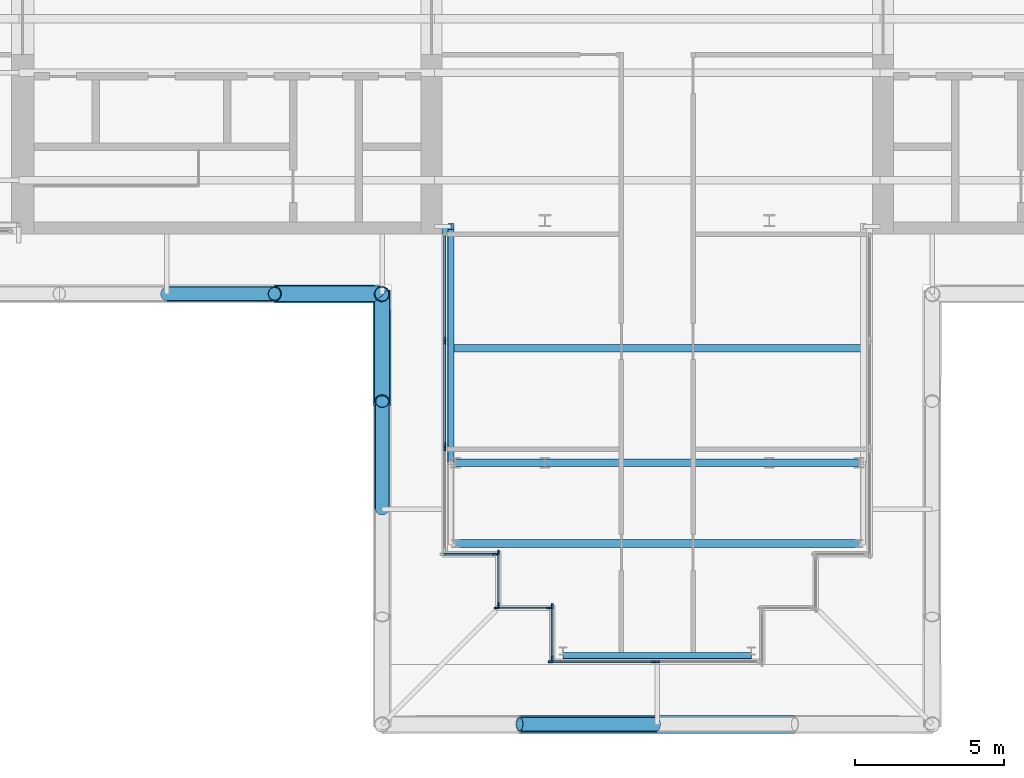
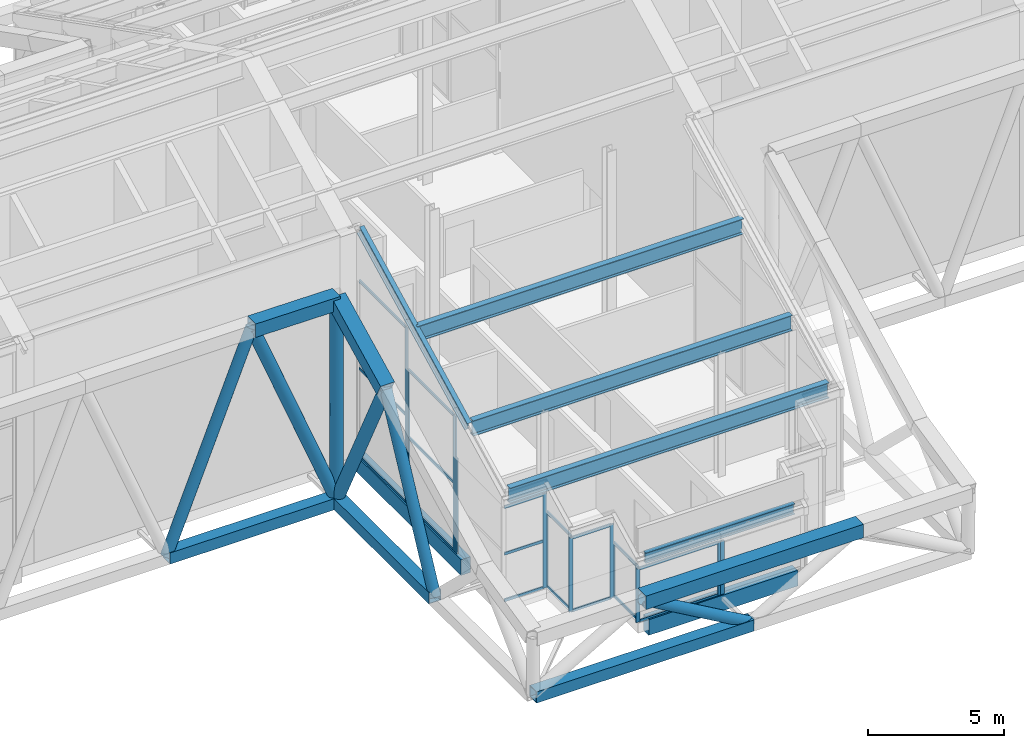
# One storey, part 5 of 25: 43 members, 7 beams, 9 elements without a shape of their own.
"""IFC4 building model written with IfcOpenShell, lengths in metres."""

from ifc_helpers import new_model, si_unit, direction, frame, origin, origin_2d, place, context, subcontext, project, spatial, rectangle, hollow_rectangle, hollow_circle, i_section, extrude, material, material_profile, profile_set, type_object, element, aggregate, save


model = new_model("IFC4")

# Units and contexts
model_context = context("Model", 3, precision=1e-05, world=origin(), true_north=direction((0.0, 1.0)))
body_context = subcontext(model_context, "Body", "Model", "MODEL_VIEW")
ifc_project = project(units=[si_unit("LENGTHUNIT", "METRE"), si_unit("AREAUNIT", "SQUARE_METRE"), si_unit("VOLUMEUNIT", "CUBIC_METRE"), si_unit("PLANEANGLEUNIT", "RADIAN"), si_unit("MASSUNIT", "GRAM", prefix="KILO")], contexts=[model_context])

# Site, building, storey
site_placement = place(None, origin())
site = spatial("IfcSite", under=ifc_project, at=site_placement, CompositionType="ELEMENT")
building_placement = place(site_placement, origin())
building = spatial("IfcBuilding", under=site, at=building_placement, Name="Fustian Cross Tower", CompositionType="ELEMENT")
storey_placement = place(building_placement, frame((0.0, 0.0, 247.5)))
storey = spatial("IfcBuildingStorey", under=building, at=storey_placement, Name="L77", CompositionType="ELEMENT", Elevation=247.5)

# Curtain wall, member
ifc_material_1 = material(Name="Glass", Category="glass")
curtain_wall_type = type_object("IfcCurtainWallType", Name="CW6 CURTAIN WALL", PredefinedType="NOTDEFINED", material=ifc_material_1)
curtain_wall_1_placement = place(storey_placement, origin())
curtain_wall_1 = element("IfcCurtainWall", 1, at=curtain_wall_1_placement, inside=storey, type_object=curtain_wall_type, Name="Curtain wall CW6", PredefinedType="NOTDEFINED")
ifc_material_2 = material(Name="Aluminium alloy 6063", Category="aluminium")
ifc_material_profile_1 = material_profile(ifc_material_2, rectangle(XDim=0.06005859375, YDim=0.159912109375, at=origin_2d()), Name="CW6 MULLION 60x160")
ifc_profile_set_1 = profile_set([ifc_material_profile_1], Name="Aluminium alloy 6063")
member_type_1 = type_object("IfcMemberType", Name="CW6 MULLION 60x160", PredefinedType="MULLION", material=ifc_profile_set_1)
member_1_placement = place(storey_placement, frame((-7.110107421875, -10.7099609375, 0.0), z_axis=(0.0, 0.0, 1.0), x_axis=(1.0, 0.0, 0.0)))
member_1 = element("IfcMember", 2, at=member_1_placement, type_object=member_type_1, Name="CW6 mullion 2", PredefinedType="MULLION", context=body_context, shape_type="SweptSolid", body=[
    extrude(rectangle(XDim=0.06005859375, YDim=0.159912109375, at=origin_2d()), origin(), (0.0, 0.0, 1.0), 7.880615234375),
])

# Curtain wall, members
curtain_wall_2_placement = place(storey_placement, origin())
curtain_wall_2 = element("IfcCurtainWall", 3, at=curtain_wall_2_placement, inside=storey, type_object=curtain_wall_type, Name="Curtain wall CW6", PredefinedType="NOTDEFINED")
member_2_placement = place(storey_placement, frame((-7.110107421875, -10.830078125, 0.0), z_axis=(0.0, 0.0, 1.0), x_axis=(1.0, 0.0, 0.0)))
member_2 = element("IfcMember", 4, at=member_2_placement, type_object=member_type_1, Name="CW6 mullion 1", PredefinedType="MULLION", context=body_context, shape_type="SweptSolid", body=[
    extrude(rectangle(XDim=0.06005859375, YDim=0.159912109375, at=origin_2d()), origin(), (0.0, 0.0, 1.0), 6.077880859375),
])
member_3_placement = place(storey_placement, frame((-7.110107421875, -14.25, 0.0), z_axis=(0.0, 0.0, 1.0), x_axis=(1.0, 0.0, 0.0)))
member_3 = element("IfcMember", 5, at=member_3_placement, type_object=member_type_1, Name="CW6 mullion 2", PredefinedType="MULLION", context=body_context, shape_type="SweptSolid", body=[
    extrude(rectangle(XDim=0.06005859375, YDim=0.159912109375, at=origin_2d()), origin(), (0.0, 0.0, 1.0), 6.077880859375),
])

# Curtain wall, member
curtain_wall_3_placement = place(storey_placement, origin())
curtain_wall_3 = element("IfcCurtainWall", 6, at=curtain_wall_3_placement, inside=storey, type_object=curtain_wall_type, Name="Curtain wall CW6", PredefinedType="NOTDEFINED")
member_4_placement = place(storey_placement, frame((-7.110107421875, -14.3701171875, 0.0), z_axis=(0.0, 0.0, 1.0), x_axis=(1.0, 0.0, 0.0)))
member_4 = element("IfcMember", 7, at=member_4_placement, type_object=member_type_1, Name="CW6 mullion 1", PredefinedType="MULLION", context=body_context, shape_type="SweptSolid", body=[
    extrude(rectangle(XDim=0.06005859375, YDim=0.159912109375, at=origin_2d()), origin(), (0.0, 0.0, 1.0), 4.27490234375),
])
aggregate(curtain_wall_3, [member_4])

curtain_wall_4_placement = place(storey_placement, origin())
curtain_wall_4 = element("IfcCurtainWall", 8, at=curtain_wall_4_placement, inside=storey, type_object=curtain_wall_type, Name="Curtain wall CW6", PredefinedType="NOTDEFINED")
member_5_placement = place(storey_placement, frame((-5.429931640625, -17.909912109375, 0.0), z_axis=(0.0, 0.0, 1.0), x_axis=(0.0, 1.0, 0.0)))
member_5 = element("IfcMember", 9, at=member_5_placement, type_object=member_type_1, Name="CW6 mullion 2", PredefinedType="MULLION", context=body_context, shape_type="SweptSolid", body=[
    extrude(rectangle(XDim=0.06005859375, YDim=0.159912109375, at=origin_2d()), origin(), (0.0, 0.0, 1.0), 4.229248046875),
])

# Curtain wall, members
curtain_wall_5_placement = place(storey_placement, origin())
curtain_wall_5 = element("IfcCurtainWall", 10, at=curtain_wall_5_placement, inside=storey, type_object=curtain_wall_type, Name="Curtain wall CW6", PredefinedType="NOTDEFINED")
member_6_placement = place(storey_placement, frame((-5.31005859375, -17.85009765625, 0.0), z_axis=(0.0, 0.0, 1.0), x_axis=(1.0, 0.0, 0.0)))
member_6 = element("IfcMember", 11, at=member_6_placement, type_object=member_type_1, Name="CW6 mullion 1", PredefinedType="MULLION", context=body_context, shape_type="SweptSolid", body=[
    extrude(rectangle(XDim=0.06005859375, YDim=0.159912109375, at=origin_2d()), origin(), (0.0, 0.0, 1.0), 3.3583984375),
])
member_7_placement = place(storey_placement, frame((-5.31005859375, -19.590087890625, 0.0), z_axis=(0.0, 0.0, 1.0), x_axis=(1.0, 0.0, 0.0)))
member_7 = element("IfcMember", 12, at=member_7_placement, type_object=member_type_1, Name="CW6 mullion 2", PredefinedType="MULLION", context=body_context, shape_type="SweptSolid", body=[
    extrude(rectangle(XDim=0.06005859375, YDim=0.159912109375, at=origin_2d()), origin(), (0.0, 0.0, 1.0), 3.3583984375),
])

curtain_wall_6_placement = place(storey_placement, origin())
curtain_wall_6 = element("IfcCurtainWall", 13, at=curtain_wall_6_placement, inside=storey, type_object=curtain_wall_type, Name="Curtain wall CW6", PredefinedType="NOTDEFINED")
member_8_placement = place(storey_placement, frame((-5.3701171875, -19.7099609375, 0.0), z_axis=(0.0, 0.0, 1.0), x_axis=(0.0, 1.0, 0.0)))
member_8 = element("IfcMember", 14, at=member_8_placement, type_object=member_type_1, Name="CW6 mullion 1", PredefinedType="MULLION", context=body_context, shape_type="SweptSolid", body=[
    extrude(rectangle(XDim=0.06005859375, YDim=0.159912109375, at=origin_2d()), origin(), (0.0, 0.0, 1.0), 3.3125),
])
member_9_placement = place(storey_placement, frame((-3.6298828125, -19.7099609375, 0.0), z_axis=(0.0, 0.0, 1.0), x_axis=(0.0, 1.0, 0.0)))
member_9 = element("IfcMember", 15, at=member_9_placement, type_object=member_type_1, Name="CW6 mullion 2", PredefinedType="MULLION", context=body_context, shape_type="SweptSolid", body=[
    extrude(rectangle(XDim=0.06005859375, YDim=0.159912109375, at=origin_2d()), origin(), (0.0, 0.0, 1.0), 3.3125),
])

curtain_wall_7_placement = place(storey_placement, origin())
curtain_wall_7 = element("IfcCurtainWall", 16, at=curtain_wall_7_placement, inside=storey, type_object=curtain_wall_type, Name="Curtain wall CW6", PredefinedType="NOTDEFINED")
member_10_placement = place(storey_placement, frame((-3.510009765625, -19.64990234375, 0.0), z_axis=(0.0, 0.0, 1.0), x_axis=(1.0, 0.0, 0.0)))
member_10 = element("IfcMember", 17, at=member_10_placement, type_object=member_type_1, Name="CW6 mullion 1", PredefinedType="MULLION", context=body_context, shape_type="SweptSolid", body=[
    extrude(rectangle(XDim=0.06005859375, YDim=0.159912109375, at=origin_2d()), origin(), (0.0, 0.0, 1.0), 2.441650390625),
])
member_11_placement = place(storey_placement, frame((-3.510009765625, -21.389892578125, 0.0), z_axis=(0.0, 0.0, 1.0), x_axis=(1.0, 0.0, 0.0)))
member_11 = element("IfcMember", 18, at=member_11_placement, type_object=member_type_1, Name="CW6 mullion 2", PredefinedType="MULLION", context=body_context, shape_type="SweptSolid", body=[
    extrude(rectangle(XDim=0.06005859375, YDim=0.159912109375, at=origin_2d()), origin(), (0.0, 0.0, 1.0), 2.441650390625),
])

curtain_wall_8_placement = place(storey_placement, origin())
curtain_wall_8 = element("IfcCurtainWall", 19, at=curtain_wall_8_placement, inside=storey, type_object=curtain_wall_type, Name="Curtain wall CW6", PredefinedType="NOTDEFINED")
member_12_placement = place(storey_placement, frame((-3.570068359375, -21.510009765625, 0.0), z_axis=(0.0, 0.0, 1.0), x_axis=(0.0, 1.0, 0.0)))
member_12 = element("IfcMember", 20, at=member_12_placement, type_object=member_type_1, Name="CW6 mullion 1", PredefinedType="MULLION", context=body_context, shape_type="SweptSolid", body=[
    extrude(rectangle(XDim=0.06005859375, YDim=0.159912109375, at=origin_2d()), origin(), (0.0, 0.0, 1.0), 2.395751953125),
])
member_13_placement = place(storey_placement, frame((-0.1201171875, -21.510009765625, 0.0), z_axis=(0.0, 0.0, 1.0), x_axis=(0.0, 1.0, 0.0)))
member_13 = element("IfcMember", 21, at=member_13_placement, type_object=member_type_1, Name="CW6 mullion 2", PredefinedType="MULLION", context=body_context, shape_type="SweptSolid", body=[
    extrude(rectangle(XDim=0.06005859375, YDim=0.159912109375, at=origin_2d()), origin(), (0.0, 0.0, 1.0), 2.395751953125),
])

# Curtain wall, member
curtain_wall_9_placement = place(storey_placement, origin())
curtain_wall_9 = element("IfcCurtainWall", 22, at=curtain_wall_9_placement, inside=storey, type_object=curtain_wall_type, Name="Curtain wall CW6", PredefinedType="NOTDEFINED")
member_14_placement = place(storey_placement, frame((0.0, -21.510009765625, 0.0), z_axis=(0.0, 0.0, 1.0), x_axis=(0.0, 1.0, 0.0)))
member_14 = element("IfcMember", 23, at=member_14_placement, type_object=member_type_1, Name="CW6 mullion 1", PredefinedType="MULLION", context=body_context, shape_type="SweptSolid", body=[
    extrude(rectangle(XDim=0.06005859375, YDim=0.159912109375, at=origin_2d()), origin(), (0.0, 0.0, 1.0), 2.395751953125),
])
aggregate(curtain_wall_9, [member_14])

# Member
ifc_material_3 = material(Name="Aluminium alloy 6063", Category="aluminium")
ifc_material_profile_2 = material_profile(ifc_material_3, rectangle(XDim=0.06005859375, YDim=0.1201171875, at=origin_2d()), Name="CW6 TRANSOM 60x120")
ifc_profile_set_2 = profile_set([ifc_material_profile_2], Name="Aluminium alloy 6063")
member_type_2 = type_object("IfcMemberType", Name="CW6 TRANSOM 60x120", PredefinedType="USERDEFINED", material=ifc_profile_set_2)
member_15_placement = place(storey_placement, frame((-7.110107421875, -7.260009765625, 0.030029296875), z_axis=(0.0, -1.0, 0.0), x_axis=(1.0, 0.0, 0.0)))
member_15 = element("IfcMember", 24, at=member_15_placement, type_object=member_type_2, Name="CW6 transom 1.1", ObjectType="TRANSOM", PredefinedType="USERDEFINED", context=body_context, shape_type="SweptSolid", body=[
    extrude(rectangle(XDim=0.06005859375, YDim=0.1201171875, at=origin_2d()), origin(), (0.0, 0.0, 1.0), 3.419921875),
])

member_16_placement = place(storey_placement, frame((-7.110107421875, -7.260009765625, 3.940185546875), z_axis=(0.0, -1.0, 0.0), x_axis=(1.0, 0.0, 0.0)))
member_16 = element("IfcMember", 25, at=member_16_placement, type_object=member_type_2, Name="CW6 transom 1.2", ObjectType="TRANSOM", PredefinedType="USERDEFINED", context=body_context, shape_type="SweptSolid", body=[
    extrude(rectangle(XDim=0.06005859375, YDim=0.1201171875, at=origin_2d()), origin(), (0.0, 0.0, 1.0), 3.419921875),
])

member_17_placement = place(storey_placement, frame((-7.110107421875, -7.260009765625, 7.8505859375), z_axis=(0.0, -1.0, 0.0), x_axis=(1.0, 0.0, 0.0)))
member_17 = element("IfcMember", 26, at=member_17_placement, type_object=member_type_2, Name="CW6 transom 1.3", ObjectType="TRANSOM", PredefinedType="USERDEFINED", context=body_context, shape_type="SweptSolid", body=[
    extrude(rectangle(XDim=0.06005859375, YDim=0.1201171875, at=origin_2d()), origin(), (0.0, 0.0, 1.0), 3.419921875),
])

aggregate(curtain_wall_1, [member_1, member_15, member_16, member_17])

member_18_placement = place(storey_placement, frame((-7.110107421875, -10.860107421875, 0.030029296875), z_axis=(0.0, -1.0, 0.0), x_axis=(1.0, 0.0, 0.0)))
member_18 = element("IfcMember", 27, at=member_18_placement, type_object=member_type_2, Name="CW6 transom 1.1", ObjectType="TRANSOM", PredefinedType="USERDEFINED", context=body_context, shape_type="SweptSolid", body=[
    extrude(rectangle(XDim=0.06005859375, YDim=0.1201171875, at=origin_2d()), origin(), (0.0, 0.0, 1.0), 3.35986328125),
])

member_19_placement = place(storey_placement, frame((-7.110107421875, -10.860107421875, 3.038818359375), z_axis=(0.0, -1.0, 0.0), x_axis=(1.0, 0.0, 0.0)))
member_19 = element("IfcMember", 28, at=member_19_placement, type_object=member_type_2, Name="CW6 transom 1.2", ObjectType="TRANSOM", PredefinedType="USERDEFINED", context=body_context, shape_type="SweptSolid", body=[
    extrude(rectangle(XDim=0.06005859375, YDim=0.1201171875, at=origin_2d()), origin(), (0.0, 0.0, 1.0), 3.35986328125),
])

member_20_placement = place(storey_placement, frame((-7.110107421875, -10.860107421875, 6.0478515625), z_axis=(0.0, -1.0, 0.0), x_axis=(1.0, 0.0, 0.0)))
member_20 = element("IfcMember", 29, at=member_20_placement, type_object=member_type_2, Name="CW6 transom 1.3", ObjectType="TRANSOM", PredefinedType="USERDEFINED", context=body_context, shape_type="SweptSolid", body=[
    extrude(rectangle(XDim=0.06005859375, YDim=0.1201171875, at=origin_2d()), origin(), (0.0, 0.0, 1.0), 3.35986328125),
])

aggregate(curtain_wall_2, [member_2, member_3, member_18, member_19, member_20])

member_21_placement = place(storey_placement, frame((-7.139892578125, -17.909912109375, 0.030029296875), z_axis=(1.0, 0.0, 0.0), x_axis=(0.0, 1.0, 0.0)))
member_21 = element("IfcMember", 30, at=member_21_placement, type_object=member_type_2, Name="CW6 transom 1.1", ObjectType="TRANSOM", PredefinedType="USERDEFINED", context=body_context, shape_type="SweptSolid", body=[
    extrude(rectangle(XDim=0.06005859375, YDim=0.1201171875, at=origin_2d()), origin(), (0.0, 0.0, 1.0), 1.679931640625),
])

member_22_placement = place(storey_placement, frame((-7.139892578125, -17.909912109375, 2.114501953125), z_axis=(1.0, 0.0, 0.0), x_axis=(0.0, 1.0, 0.0)))
member_22 = element("IfcMember", 31, at=member_22_placement, type_object=member_type_2, Name="CW6 transom 1.2", ObjectType="TRANSOM", PredefinedType="USERDEFINED", context=body_context, shape_type="SweptSolid", body=[
    extrude(rectangle(XDim=0.06005859375, YDim=0.1201171875, at=origin_2d()), origin(), (0.0, 0.0, 1.0), 1.679931640625),
])

member_23_placement = place(storey_placement, frame((-7.139892578125, -17.909912109375, 4.19921875), z_axis=(1.0, 0.0, 0.0), x_axis=(0.0, 1.0, 0.0)))
member_23 = element("IfcMember", 32, at=member_23_placement, type_object=member_type_2, Name="CW6 transom 1.3", ObjectType="TRANSOM", PredefinedType="USERDEFINED", context=body_context, shape_type="SweptSolid", body=[
    extrude(rectangle(XDim=0.06005859375, YDim=0.1201171875, at=origin_2d()), origin(), (0.0, 0.0, 1.0), 1.679931640625),
])

aggregate(curtain_wall_4, [member_5, member_21, member_22, member_23])

member_24_placement = place(storey_placement, frame((-5.31005859375, -17.8798828125, 0.030029296875), z_axis=(0.0, -1.0, 0.0), x_axis=(1.0, 0.0, 0.0)))
member_24 = element("IfcMember", 33, at=member_24_placement, type_object=member_type_2, Name="CW6 transom 1.1", ObjectType="TRANSOM", PredefinedType="USERDEFINED", context=body_context, shape_type="SweptSolid", body=[
    extrude(rectangle(XDim=0.06005859375, YDim=0.1201171875, at=origin_2d()), origin(), (0.0, 0.0, 1.0), 1.68017578125),
])

member_25_placement = place(storey_placement, frame((-5.31005859375, -17.8798828125, 3.328369140625), z_axis=(0.0, -1.0, 0.0), x_axis=(1.0, 0.0, 0.0)))
member_25 = element("IfcMember", 34, at=member_25_placement, type_object=member_type_2, Name="CW6 transom 1.2", ObjectType="TRANSOM", PredefinedType="USERDEFINED", context=body_context, shape_type="SweptSolid", body=[
    extrude(rectangle(XDim=0.06005859375, YDim=0.1201171875, at=origin_2d()), origin(), (0.0, 0.0, 1.0), 1.68017578125),
])

aggregate(curtain_wall_5, [member_6, member_7, member_24, member_25])

member_26_placement = place(storey_placement, frame((-5.340087890625, -19.7099609375, 0.030029296875), z_axis=(1.0, 0.0, 0.0), x_axis=(0.0, 1.0, 0.0)))
member_26 = element("IfcMember", 35, at=member_26_placement, type_object=member_type_2, Name="CW6 transom 1.1", ObjectType="TRANSOM", PredefinedType="USERDEFINED", context=body_context, shape_type="SweptSolid", body=[
    extrude(rectangle(XDim=0.06005859375, YDim=0.1201171875, at=origin_2d()), origin(), (0.0, 0.0, 1.0), 1.68017578125),
])

member_27_placement = place(storey_placement, frame((-5.340087890625, -19.7099609375, 3.282470703125), z_axis=(1.0, 0.0, 0.0), x_axis=(0.0, 1.0, 0.0)))
member_27 = element("IfcMember", 36, at=member_27_placement, type_object=member_type_2, Name="CW6 transom 1.2", ObjectType="TRANSOM", PredefinedType="USERDEFINED", context=body_context, shape_type="SweptSolid", body=[
    extrude(rectangle(XDim=0.06005859375, YDim=0.1201171875, at=origin_2d()), origin(), (0.0, 0.0, 1.0), 1.68017578125),
])

aggregate(curtain_wall_6, [member_8, member_9, member_26, member_27])

member_28_placement = place(storey_placement, frame((-3.510009765625, -19.679931640625, 0.030029296875), z_axis=(0.0, -1.0, 0.0), x_axis=(1.0, 0.0, 0.0)))
member_28 = element("IfcMember", 37, at=member_28_placement, type_object=member_type_2, Name="CW6 transom 1.1", ObjectType="TRANSOM", PredefinedType="USERDEFINED", context=body_context, shape_type="SweptSolid", body=[
    extrude(rectangle(XDim=0.06005859375, YDim=0.1201171875, at=origin_2d()), origin(), (0.0, 0.0, 1.0), 1.68017578125),
])

member_29_placement = place(storey_placement, frame((-3.510009765625, -19.679931640625, 2.41162109375), z_axis=(0.0, -1.0, 0.0), x_axis=(1.0, 0.0, 0.0)))
member_29 = element("IfcMember", 38, at=member_29_placement, type_object=member_type_2, Name="CW6 transom 1.2", ObjectType="TRANSOM", PredefinedType="USERDEFINED", context=body_context, shape_type="SweptSolid", body=[
    extrude(rectangle(XDim=0.06005859375, YDim=0.1201171875, at=origin_2d()), origin(), (0.0, 0.0, 1.0), 1.68017578125),
])

aggregate(curtain_wall_7, [member_10, member_11, member_28, member_29])

member_30_placement = place(storey_placement, frame((-3.5400390625, -21.510009765625, 0.030029296875), z_axis=(1.0, 0.0, 0.0), x_axis=(0.0, 1.0, 0.0)))
member_30 = element("IfcMember", 39, at=member_30_placement, type_object=member_type_2, Name="CW6 transom 1.1", ObjectType="TRANSOM", PredefinedType="USERDEFINED", context=body_context, shape_type="SweptSolid", body=[
    extrude(rectangle(XDim=0.06005859375, YDim=0.1201171875, at=origin_2d()), origin(), (0.0, 0.0, 1.0), 3.39013671875),
])

member_31_placement = place(storey_placement, frame((-3.5400390625, -21.510009765625, 2.36572265625), z_axis=(1.0, 0.0, 0.0), x_axis=(0.0, 1.0, 0.0)))
member_31 = element("IfcMember", 40, at=member_31_placement, type_object=member_type_2, Name="CW6 transom 1.2", ObjectType="TRANSOM", PredefinedType="USERDEFINED", context=body_context, shape_type="SweptSolid", body=[
    extrude(rectangle(XDim=0.06005859375, YDim=0.1201171875, at=origin_2d()), origin(), (0.0, 0.0, 1.0), 3.39013671875),
])

aggregate(curtain_wall_8, [member_12, member_13, member_30, member_31])

# Members
ifc_material_4 = material(Name="Steel S355", Category="steel")
ifc_material_profile_3 = material_profile(ifc_material_4, hollow_circle(Radius=0.228515625, WallThickness=0.01611328125, at=origin_2d()), Name="CHS 457x16")
ifc_profile_set_3 = profile_set([ifc_material_profile_3], Name="Steel S355")
member_type_3 = type_object("IfcMemberType", Name="DIAGRID DIAGONAL CHS 457x16", PredefinedType="BRACE", material=ifc_profile_set_3)
member_32_placement = place(storey_placement, frame((-16.39990234375, -9.199951171875, 0.0), z_axis=(0.372632146332, 0.0, 0.927979139593), x_axis=(0.0, 1.0, 0.0)))
element("IfcMember", 41, at=member_32_placement, inside=storey, type_object=member_type_3, Name="Diagrid diagonal W-S 05", PredefinedType="BRACE", context=body_context, shape_type="SweptSolid", body=[
    extrude(hollow_circle(Radius=0.228515625, WallThickness=0.01611328125, at=origin_2d()), origin(), (0.0, 0.0, 1.0), 9.66064453125),
])
member_33_placement = place(storey_placement, frame((-9.199951171875, -16.39990234375, 0.0), z_axis=(0.0, 0.450620944217, 0.89271538837), x_axis=(-1.0, 0.0, 0.0)))
element("IfcMember", 42, at=member_33_placement, inside=storey, type_object=member_type_3, Name="Diagrid diagonal S-W 02", PredefinedType="BRACE", context=body_context, shape_type="SweptSolid", body=[
    extrude(hollow_circle(Radius=0.228515625, WallThickness=0.01611328125, at=origin_2d()), origin(), (0.0, 0.0, 1.0), 7.98876953125),
])
member_34_placement = place(storey_placement, frame((0.0, -23.60009765625, 0.0), z_axis=(-0.866511556099, 0.0, 0.49915701252), x_axis=(0.0, -1.0, 0.0)))
element("IfcMember", 43, at=member_34_placement, inside=storey, type_object=member_type_3, Name="Diagrid diagonal S-end 02", PredefinedType="BRACE", context=body_context, shape_type="SweptSolid", body=[
    extrude(hollow_circle(Radius=0.228515625, WallThickness=0.01611328125, at=origin_2d()), origin(), (0.0, 0.0, 1.0), 5.308837890625),
])
ifc_material_5 = material(Name="Steel S355", Category="steel")
ifc_material_profile_4 = material_profile(ifc_material_5, hollow_circle(Radius=0.25390625, WallThickness=0.02001953125, at=origin_2d()), Name="CHS 508x20")
ifc_profile_set_4 = profile_set([ifc_material_profile_4], Name="Steel S355")
member_type_4 = type_object("IfcMemberType", Name="DIAGRID DIAGONAL CHS 508x20", PredefinedType="BRACE", material=ifc_profile_set_4)
member_35_placement = place(storey_placement, frame((-9.199951171875, -9.199951171875, 0.0), z_axis=(-0.372653908684, 0.0, 0.927970400575), x_axis=(0.0, -1.0, 0.0)))
element("IfcMember", 44, at=member_35_placement, inside=storey, type_object=member_type_4, Name="Diagrid diagonal W-S 06", PredefinedType="BRACE", context=body_context, shape_type="SweptSolid", body=[
    extrude(hollow_circle(Radius=0.25390625, WallThickness=0.02001953125, at=origin_2d()), origin(), (0.0, 0.0, 1.0), 9.66064453125),
])
member_36_placement = place(storey_placement, frame((-9.199951171875, -9.199951171875, 0.0), z_axis=(-0.00158080826, -0.00158080826, 0.999997501042), x_axis=(0.707106781187, -0.707106781187, 0.0)))
element("IfcMember", 45, at=member_36_placement, inside=storey, type_object=member_type_4, Name="Diagrid diagonal W-S 07", PredefinedType="BRACE", context=body_context, shape_type="SweptSolid", body=[
    extrude(hollow_circle(Radius=0.25390625, WallThickness=0.02001953125, at=origin_2d()), origin(), (0.0, 0.0, 1.0), 8.95751953125),
])
member_37_placement = place(storey_placement, frame((-9.199951171875, -9.199951171875, 0.0), z_axis=(0.0, -0.450645298966, 0.89270309427), x_axis=(1.0, 0.0, 0.0)))
element("IfcMember", 46, at=member_37_placement, inside=storey, type_object=member_type_4, Name="Diagrid diagonal S-W 01", PredefinedType="BRACE", context=body_context, shape_type="SweptSolid", body=[
    extrude(hollow_circle(Radius=0.25390625, WallThickness=0.02001953125, at=origin_2d()), origin(), (0.0, 0.0, 1.0), 7.98876953125),
])
ifc_material_6 = material(Name="Steel S355", Category="steel")
ifc_material_profile_5 = material_profile(ifc_material_6, hollow_rectangle(XDim=0.5, YDim=0.5, WallThickness=0.02490234375, at=origin_2d()), Name="RHS 500x500x25")
ifc_profile_set_5 = profile_set([ifc_material_profile_5], Name="Steel S355")
member_type_5 = type_object("IfcMemberType", Name="DIAGRID RING RHS 500x500x25", PredefinedType="MEMBER", material=ifc_profile_set_5)
for number, where, z_axis, x_axis, name in (
    (47, (-16.39990234375, -9.199951171875, 0.0), (1.0, 0.0, 0.0), (0.0, 1.0, 0.0), "Diagrid ring L77-19 L77-20"),
    (48, (-9.199951171875, -9.199951171875, 0.0), (0.0, -1.0, 0.0), (1.0, 0.0, 0.0), "Diagrid ring L77-20 L77-21"),
):
    element("IfcMember", number, at=place(storey_placement, frame(where, z_axis=z_axis, x_axis=x_axis)), inside=storey, type_object=member_type_5, Name=name, PredefinedType="MEMBER", context=body_context, shape_type="SweptSolid", body=[
        extrude(hollow_rectangle(XDim=0.5, YDim=0.5, WallThickness=0.02490234375, at=origin_2d()), origin(), (0.0, 0.0, 1.0), 7.199951171875),
    ])
member_38_placement = place(storey_placement, frame((-9.199951171875, -23.60009765625, 0.0), z_axis=(1.0, 0.0, 0.0), x_axis=(0.0, 1.0, 0.0)))
element("IfcMember", 49, at=member_38_placement, inside=storey, type_object=member_type_5, Name="Diagrid ring L77-22 L77-23", PredefinedType="MEMBER", context=body_context, shape_type="SweptSolid", body=[
    extrude(hollow_rectangle(XDim=0.5, YDim=0.5, WallThickness=0.02490234375, at=origin_2d()), origin(), (0.0, 0.0, 1.0), 9.199951171875),
])
ifc_material_7 = material(Name="Steel S355", Category="steel")
ifc_material_profile_6 = material_profile(ifc_material_7, hollow_rectangle(XDim=0.60009765625, YDim=0.60009765625, WallThickness=0.030029296875, at=origin_2d()), Name="RHS 600x600x30")
ifc_profile_set_6 = profile_set([ifc_material_profile_6], Name="Steel S355")
member_type_6 = type_object("IfcMemberType", Name="DIAGRID RING RHS 600x600x30", PredefinedType="MEMBER", material=ifc_profile_set_6)
member_39_placement = place(storey_placement, frame((-12.800048828125, -9.199951171875, 8.96484375), z_axis=(0.999990117759, -0.00394876272, -0.002042463476), x_axis=(0.003948770956, 0.999992203574, 0.0)))
element("IfcMember", 50, at=member_39_placement, inside=storey, type_object=member_type_6, Name="Diagrid ring TOP-26 TOP-27", PredefinedType="MEMBER", context=body_context, shape_type="SweptSolid", body=[
    extrude(hollow_rectangle(XDim=0.60009765625, YDim=0.60009765625, WallThickness=0.030029296875, at=origin_2d()), origin(), (0.0, 0.0, 1.0), 3.5859375),
])
member_40_placement = place(storey_placement, frame((-9.214111328125, -9.214111328125, 8.95751953125), z_axis=(0.003518862016, -0.891121470522, -0.453751189953), x_axis=(0.999992203574, 0.003948770956, 0.0)))
element("IfcMember", 51, at=member_40_placement, inside=storey, type_object=member_type_6, Name="Diagrid ring TOP-27 TOP-28", PredefinedType="MEMBER", context=body_context, shape_type="SweptSolid", body=[
    extrude(hollow_rectangle(XDim=0.60009765625, YDim=0.60009765625, WallThickness=0.030029296875, at=origin_2d()), origin(), (0.0, 0.0, 1.0), 4.024169921875),
])
member_41_placement = place(storey_placement, frame((-4.60009765625, -23.60009765625, 2.64990234375), z_axis=(1.0, 0.0, 0.0), x_axis=(0.0, 1.0, 0.0)))
element("IfcMember", 52, at=member_41_placement, inside=storey, type_object=member_type_6, Name="Diagrid ring TOP-31 TOP-32", PredefinedType="MEMBER", context=body_context, shape_type="SweptSolid", body=[
    extrude(hollow_rectangle(XDim=0.60009765625, YDim=0.60009765625, WallThickness=0.030029296875, at=origin_2d()), origin(), (0.0, 0.0, 1.0), 9.2001953125),
])

# Beams
ifc_material_8 = material(Name="Concrete C50/60", Category="concrete")
ifc_material_profile_7 = material_profile(ifc_material_8, rectangle(XDim=0.39990234375, YDim=0.699951171875, at=origin_2d()), Name="RC 400x700")
ifc_profile_set_7 = profile_set([ifc_material_profile_7], Name="Concrete C50/60")
beam_type_1 = type_object("IfcBeamType", Name="EDGE BEAM RC 400x700 C50/60", PredefinedType="SPANDREL", material=ifc_profile_set_7)
beam_1_placement = place(storey_placement, frame((-7.0, -6.949951171875, -0.35009765625), z_axis=(0.0, -1.0, 0.0), x_axis=(1.0, 0.0, 0.0)))
element("IfcBeam", 53, at=beam_1_placement, inside=storey, type_object=beam_type_1, Name="EDGE BEAM L77-12", PredefinedType="SPANDREL", context=body_context, shape_type="SweptSolid", body=[
    extrude(rectangle(XDim=0.39990234375, YDim=0.699951171875, at=origin_2d()), origin(), (0.0, 0.0, 1.0), 7.900146484375),
])
beam_2_placement = place(storey_placement, frame((-3.14990234375, -21.39990234375, -0.35009765625), z_axis=(1.0, 0.0, 0.0), x_axis=(0.0, 1.0, 0.0)))
element("IfcBeam", 54, at=beam_2_placement, inside=storey, type_object=beam_type_1, Name="EDGE BEAM L77-14", PredefinedType="SPANDREL", context=body_context, shape_type="SweptSolid", body=[
    extrude(rectangle(XDim=0.39990234375, YDim=0.699951171875, at=origin_2d()), origin(), (0.0, 0.0, 1.0), 6.2998046875),
])
ifc_material_9 = material(Name="Steel S355", Category="steel")
ifc_material_profile_8 = material_profile(ifc_material_9, i_section(OverallWidth=0.255859375, OverallDepth=0.69287109375, WebThickness=0.014404296875, FlangeThickness=0.023681640625, FilletRadius=0.01513671875, at=origin_2d()), Name="UB 686x254x170")
ifc_profile_set_8 = profile_set([ifc_material_profile_8], Name="Steel S355")
beam_type_2 = type_object("IfcBeamType", Name="ROOF PURLIN UB 686x254x170 S355", PredefinedType="BEAM", material=ifc_profile_set_8)
for number, where, z_axis, x_axis, name in (
    (55, (-6.75, -17.550048828125, 4.416015625), (1.0, 0.0, 0.0), (0.0, 1.0, 0.0), "ROOF BEAM 027"),
    (56, (-6.75, -14.85009765625, 5.791015625), (1.0, 0.0, 0.0), (0.0, 1.0, 0.0), "ROOF BEAM 028"),
):
    element("IfcBeam", number, at=place(storey_placement, frame(where, z_axis=z_axis, x_axis=x_axis)), inside=storey, type_object=beam_type_2, Name=name, PredefinedType="BEAM", context=body_context, shape_type="SweptSolid", body=[
        extrude(i_section(OverallWidth=0.255859375, OverallDepth=0.69287109375, WebThickness=0.014404296875, FlangeThickness=0.023681640625, FilletRadius=0.01513671875, at=origin_2d()), origin(), (0.0, 0.0, 1.0), 13.5),
    ])
beam_3_placement = place(storey_placement, frame((-6.89990234375, -11.02490234375, 7.739013671875), z_axis=(1.0, 0.0, 0.0), x_axis=(0.0, 1.0, 0.0)))
element("IfcBeam", 57, at=beam_3_placement, inside=storey, type_object=beam_type_2, Name="ROOF BEAM 032", PredefinedType="BEAM", context=body_context, shape_type="SweptSolid", body=[
    extrude(i_section(OverallWidth=0.255859375, OverallDepth=0.69287109375, WebThickness=0.014404296875, FlangeThickness=0.023681640625, FilletRadius=0.01513671875, at=origin_2d()), origin(), (0.0, 0.0, 1.0), 13.7998046875),
])
ifc_material_10 = material(Name="Steel S355", Category="steel")
ifc_material_profile_9 = material_profile(ifc_material_10, i_section(OverallWidth=0.19287109375, OverallDepth=0.46728515625, WebThickness=0.011474609375, FlangeThickness=0.01953125, FilletRadius=0.01025390625, at=origin_2d()), Name="UB 457x191x98")
ifc_profile_set_9 = profile_set([ifc_material_profile_9], Name="Steel S355")
beam_type_3 = type_object("IfcBeamType", Name="ROOF RAFTER UB 457x191x98 S355", PredefinedType="BEAM", material=ifc_profile_set_9)
beam_4_placement = place(storey_placement, frame((-6.89990234375, -6.949951171875, 9.8984375), z_axis=(0.0, -0.891114931037, -0.453777676493), x_axis=(1.0, 0.0, 0.0)))
element("IfcBeam", 58, at=beam_4_placement, inside=storey, type_object=beam_type_3, Name="ROOF BEAM 020", PredefinedType="BEAM", context=body_context, shape_type="SweptSolid", body=[
    extrude(i_section(OverallWidth=0.19287109375, OverallDepth=0.46728515625, WebThickness=0.011474609375, FlangeThickness=0.01953125, FilletRadius=0.01025390625, at=origin_2d()), origin(), (0.0, 0.0, 1.0), 8.865478515625),
])
beam_5_placement = place(storey_placement, frame((-3.14990234375, -21.300048828125, 2.619140625), z_axis=(1.0, 0.0, 0.0), x_axis=(0.0, 1.0, 0.0)))
element("IfcBeam", 59, at=beam_5_placement, inside=storey, type_object=beam_type_3, Name="ROOF BEAM 023", PredefinedType="BEAM", context=body_context, shape_type="SweptSolid", body=[
    extrude(i_section(OverallWidth=0.19287109375, OverallDepth=0.46728515625, WebThickness=0.011474609375, FlangeThickness=0.01953125, FilletRadius=0.01025390625, at=origin_2d()), origin(), (0.0, 0.0, 1.0), 6.2998046875),
])

save(model, "model.ifc")
